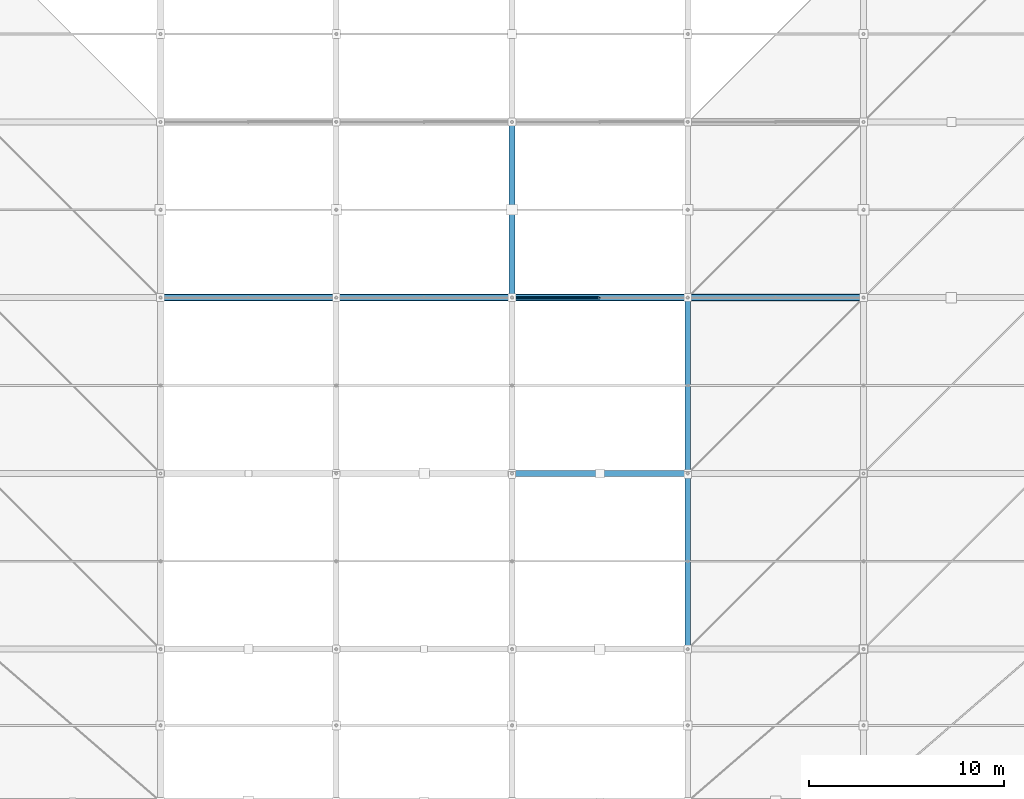
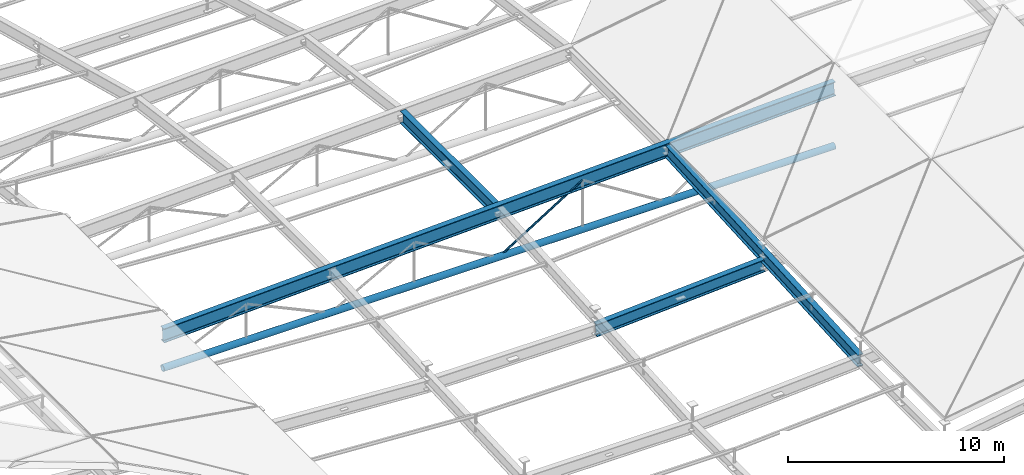
# One storey, part 20 of 80: 4 beams, 2 members.
"""IFC4 building model written with IfcOpenShell, lengths in metres."""

from ifc_helpers import new_model, si_unit, direction, frame, origin, origin_2d, place, context, subcontext, project, spatial, hollow_circle, i_section, extrude, material, material_profile, profile_set, type_object, element, save


model = new_model("IFC4")

# Units and contexts
model_context = context("Model", 3, precision=1e-05, world=origin(), true_north=direction((0.0, 1.0)))
body_context = subcontext(model_context, "Body", "Model", "MODEL_VIEW")
ifc_project = project(units=[si_unit("LENGTHUNIT", "METRE"), si_unit("AREAUNIT", "SQUARE_METRE"), si_unit("VOLUMEUNIT", "CUBIC_METRE"), si_unit("PLANEANGLEUNIT", "RADIAN"), si_unit("MASSUNIT", "GRAM", prefix="KILO")], contexts=[model_context])

# Site, building, storey
site_placement = place(None, origin())
site = spatial("IfcSite", under=ifc_project, at=site_placement, CompositionType="ELEMENT")
building_placement = place(site_placement, origin())
building = spatial("IfcBuilding", under=site, at=building_placement, Name="Barlavento Convention Centre", CompositionType="ELEMENT")
storey_placement = place(building_placement, frame((0.0, 0.0, 29.800048828125)))
storey = spatial("IfcBuildingStorey", under=building, at=storey_placement, Name="RF", CompositionType="ELEMENT", Elevation=29.800048828125)

# Beams
ifc_material_1 = material(Name="Steel S460", Category="steel")
ifc_material_profile_1 = material_profile(ifc_material_1, i_section(OverallWidth=0.300048828125, OverallDepth=0.800048828125, WebThickness=0.017578125, FlangeThickness=0.032958984375, FilletRadius=0.030029296875, at=origin_2d()), Name="HEB 800")
ifc_profile_set_1 = profile_set([ifc_material_profile_1], Name="Steel S460")
beam_type_1 = type_object("IfcBeamType", Name="STR-BM-CONG-HEB800", PredefinedType="BEAM", material=ifc_profile_set_1)
beam_1_placement = place(storey_placement, frame((18.02001953125, 18.0, -1.25634765625), z_axis=(0.999229333867, 0.0, 0.039252239943), x_axis=(0.0, 1.0, 0.0)))
element("IfcBeam", 1, at=beam_1_placement, inside=storey, type_object=beam_type_1, Name="Plenary hall 36 m roof truss top chord BG04", PredefinedType="BEAM", context=body_context, shape_type="SweptSolid", body=[
    extrude(i_section(OverallWidth=0.300048828125, OverallDepth=0.800048828125, WebThickness=0.017578125, FlangeThickness=0.032958984375, FilletRadius=0.030029296875, at=origin_2d()), origin(), (0.0, 0.0, 1.0), 35.98779296875),
])
ifc_material_profile_2 = material_profile(ifc_material_1, i_section(OverallWidth=0.300048828125, OverallDepth=0.699951171875, WebThickness=0.01708984375, FlangeThickness=0.031982421875, FilletRadius=0.027099609375, at=origin_2d()), Name="HEB 700")
ifc_profile_set_2 = profile_set([ifc_material_profile_2], Name="Steel S460")
beam_type_2 = type_object("IfcBeamType", Name="STR-BM-TRUSS-TOP-HEB700", PredefinedType="BEAM", material=ifc_profile_set_2)
beam_2_placement = place(storey_placement, frame((36.0048828125, 9.0, -1.800048828125), z_axis=(0.998176275641, 0.0, 0.060366569787), x_axis=(0.0, 1.0, 0.0)))
element("IfcBeam", 2, at=beam_2_placement, inside=storey, type_object=beam_type_2, Name="Congress roof truss space frame chord", PredefinedType="BEAM", context=body_context, shape_type="SweptSolid", body=[
    extrude(i_section(OverallWidth=0.300048828125, OverallDepth=0.699951171875, WebThickness=0.01708984375, FlangeThickness=0.031982421875, FilletRadius=0.027099609375, at=origin_2d()), origin(), (0.0, 0.0, 1.0), 9.006591796875),
])
beam_3_placement = place(storey_placement, frame((36.0, 18.155029296875, -0.550048828125), z_axis=(0.0, 1.0, 0.0), x_axis=(-1.0, 0.0, 0.0)))
element("IfcBeam", 3, at=beam_3_placement, inside=storey, type_object=beam_type_2, Name="Congress roof truss space frame chord", PredefinedType="BEAM", context=body_context, shape_type="SweptSolid", body=[
    extrude(i_section(OverallWidth=0.300048828125, OverallDepth=0.699951171875, WebThickness=0.01708984375, FlangeThickness=0.031982421875, FilletRadius=0.027099609375, at=origin_2d()), origin(), (0.0, 0.0, 1.0), 8.68994140625),
])
beam_4_placement = place(storey_placement, frame((45.0, 0.0048828125, -1.25634765625), z_axis=(0.0, 0.99824171677, 0.059274572127), x_axis=(-1.0, 0.0, 0.0)))
element("IfcBeam", 4, at=beam_4_placement, inside=storey, type_object=beam_type_2, Name="Congress roof truss space frame chord", PredefinedType="BEAM", context=body_context, shape_type="SweptSolid", body=[
    extrude(i_section(OverallWidth=0.300048828125, OverallDepth=0.699951171875, WebThickness=0.01708984375, FlangeThickness=0.031982421875, FilletRadius=0.027099609375, at=origin_2d()), origin(), (0.0, 0.0, 1.0), 17.87158203125),
])

# Members
ifc_material_2 = material(Name="Steel S355", Category="steel")
ifc_material_profile_3 = material_profile(ifc_material_2, hollow_circle(Radius=0.177734375, WallThickness=0.01611328125, at=origin_2d()), Name="CHS 355.6x16.0")
ifc_profile_set_3 = profile_set([ifc_material_profile_3], Name="Steel S355")
member_type_1 = type_object("IfcMemberType", Name="STR-MEM-CHD-CHS355", PredefinedType="CHORD", material=ifc_profile_set_3)
member_1_placement = place(storey_placement, frame((18.02001953125, 18.0, -3.15625), z_axis=(1.0, 0.0, 0.0), x_axis=(0.0, 1.0, 0.0)))
element("IfcMember", 5, at=member_1_placement, inside=storey, type_object=member_type_1, Name="Plenary hall roof truss bottom chord TC01", PredefinedType="CHORD", context=body_context, shape_type="SweptSolid", body=[
    extrude(hollow_circle(Radius=0.177734375, WallThickness=0.01611328125, at=origin_2d()), origin(), (0.0, 0.0, 1.0), 35.9599609375),
])
ifc_material_profile_4 = material_profile(ifc_material_2, hollow_circle(Radius=0.05712890625, WallThickness=0.00634765625, at=origin_2d()), Name="CHS 114.3x6.3")
ifc_profile_set_4 = profile_set([ifc_material_profile_4], Name="Steel S355")
member_type_2 = type_object("IfcMemberType", Name="STR-MEM-DIAG-CHS114", PredefinedType="BRACE", material=ifc_profile_set_4)
member_2_placement = place(storey_placement, frame((36.050048828125, 18.0, -3.15625), z_axis=(0.847870226103, 0.0, 0.530203809575), x_axis=(0.0, 1.0, 0.0)))
element("IfcMember", 6, at=member_2_placement, inside=storey, type_object=member_type_2, Name="Plenary hall roof truss web member", PredefinedType="BRACE", context=body_context, shape_type="SweptSolid", body=[
    extrude(hollow_circle(Radius=0.05712890625, WallThickness=0.00634765625, at=origin_2d()), origin(), (0.0, 0.0, 1.0), 5.248291015625),
])

save(model, "model.ifc")
